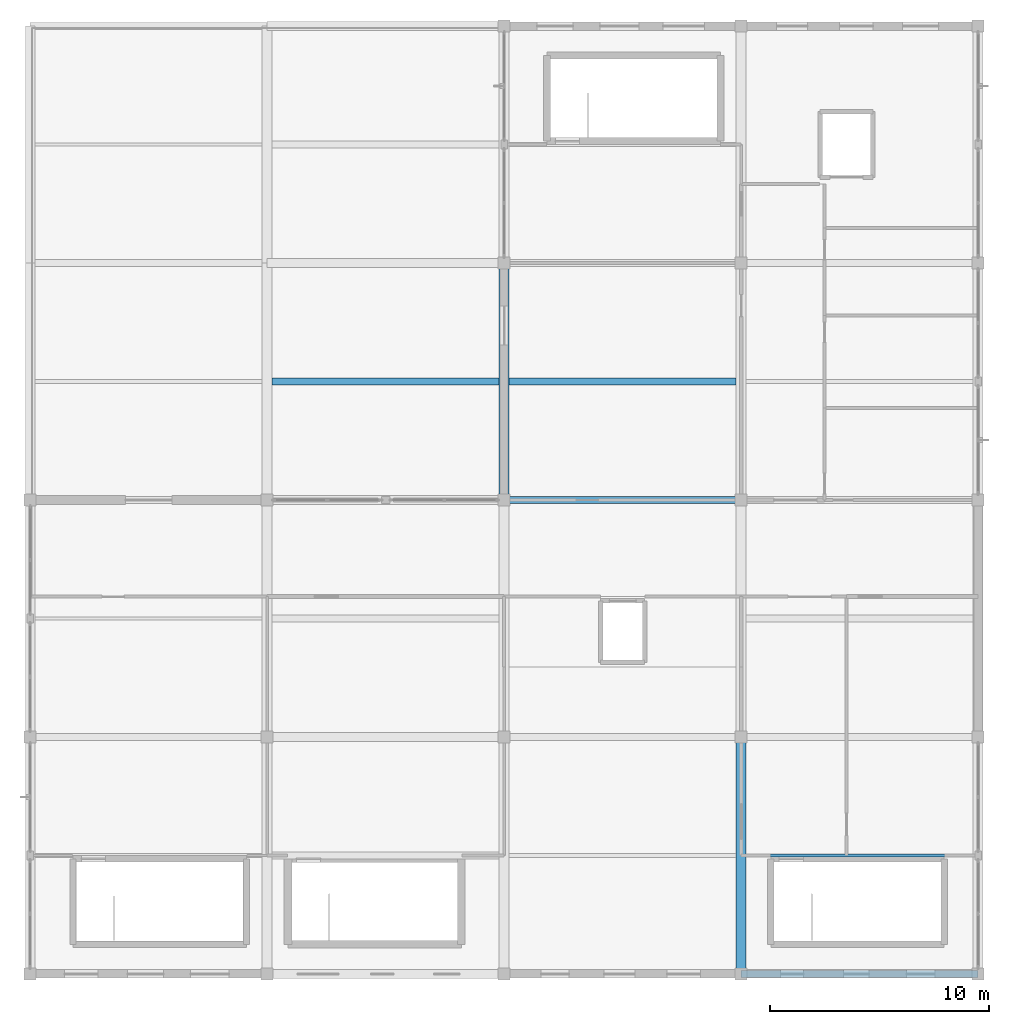
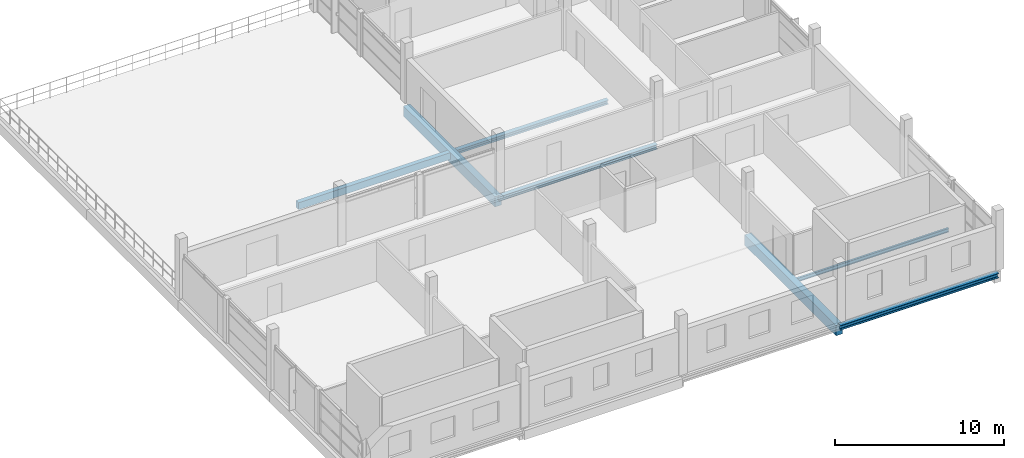
# One storey, part 5 of 15: 7 beams.
"""IFC4 building model written with IfcOpenShell, lengths in metres."""

from ifc_helpers import new_model, si_unit, direction, frame, origin, origin_2d, place, context, subcontext, project, spatial, rectangle, i_section, extrude, material, material_profile, profile_set, type_object, element, save


model = new_model("IFC4")

# Units and contexts
model_context = context("Model", 3, precision=1e-05, world=origin(), true_north=direction((0.0, 1.0)))
body_context = subcontext(model_context, "Body", "Model", "MODEL_VIEW")
ifc_project = project(units=[si_unit("LENGTHUNIT", "METRE"), si_unit("AREAUNIT", "SQUARE_METRE"), si_unit("VOLUMEUNIT", "CUBIC_METRE"), si_unit("PLANEANGLEUNIT", "RADIAN"), si_unit("MASSUNIT", "GRAM", prefix="KILO")], contexts=[model_context])

# Site, building, storey
site_placement = place(None, origin())
site = spatial("IfcSite", under=ifc_project, at=site_placement, CompositionType="ELEMENT")
building_placement = place(site_placement, origin())
building = spatial("IfcBuilding", under=site, at=building_placement, Name="Zwinboog Wholesale Market", CompositionType="ELEMENT")
storey_placement = place(building_placement, frame((0.0, 0.0, 14.760009765625)))
storey = spatial("IfcBuildingStorey", under=building, at=storey_placement, Name="L03", CompositionType="ELEMENT", Elevation=14.760009765625)

# Beams
ifc_material_1 = material(Name="Precast concrete C45/55", Category="concrete")
ifc_material_profile_1 = material_profile(ifc_material_1, rectangle(XDim=0.449951171875, YDim=0.75, at=origin_2d()), Name="PC 450x750")
ifc_profile_set_1 = profile_set([ifc_material_profile_1], Name="Precast concrete C45/55")
beam_type_1 = type_object("IfcBeamType", Name="BT-04", PredefinedType="BEAM", material=ifc_profile_set_1)
beam_1_placement = place(storey_placement, frame((151.199951171875, 21.60009765625, -0.722900390625), z_axis=(0.0, 1.0, 0.0), x_axis=(-1.0, 0.0, 0.0)))
element("IfcBeam", 1, at=beam_1_placement, inside=storey, type_object=beam_type_1, Name="BG-04 (BMG-L03-1512-0216-1031)", PredefinedType="BEAM", context=body_context, shape_type="SweptSolid", body=[
    extrude(rectangle(XDim=0.449951171875, YDim=0.75, at=origin_2d()), origin(), (0.0, 0.0, 1.0), 10.7998046875),
])
beam_2_placement = place(storey_placement, frame((162.0, 0.0, -0.693115234375), z_axis=(0.0, 1.0, 0.0), x_axis=(-1.0, 0.0, 0.0)))
element("IfcBeam", 2, at=beam_2_placement, inside=storey, type_object=beam_type_1, Name="BG-04 (BMG-L03-1620-0000-1033)", PredefinedType="BEAM", context=body_context, shape_type="SweptSolid", body=[
    extrude(rectangle(XDim=0.449951171875, YDim=0.75, at=origin_2d()), origin(), (0.0, 0.0, 1.0), 10.800048828125),
])
ifc_material_profile_2 = material_profile(ifc_material_1, rectangle(XDim=0.300048828125, YDim=0.5, at=origin_2d()), Name="PC 300x500")
ifc_profile_set_2 = profile_set([ifc_material_profile_2], Name="Precast concrete C45/55")
beam_type_2 = type_object("IfcBeamType", Name="BT-10", PredefinedType="JOIST", material=ifc_profile_set_2)
beam_3_placement = place(storey_placement, frame((140.625, 27.0, -0.597900390625), z_axis=(1.0, 0.0, 0.0), x_axis=(0.0, 1.0, 0.0)))
element("IfcBeam", 3, at=beam_3_placement, inside=storey, type_object=beam_type_2, Name="BJ-01 (BM-TER-L03-0219)", PredefinedType="JOIST", context=body_context, shape_type="SweptSolid", body=[
    extrude(rectangle(XDim=0.300048828125, YDim=0.5, at=origin_2d()), origin(), (0.0, 0.0, 1.0), 10.35009765625),
])
ifc_material_2 = material(Name="Steel S355", Category="steel")
ifc_material_profile_3 = material_profile(ifc_material_2, i_section(OverallWidth=0.300048828125, OverallDepth=0.340087890625, WebThickness=0.011962890625, FlangeThickness=0.021484375, FilletRadius=0.027099609375, at=origin_2d()), Name="HEB 340")
ifc_profile_set_3 = profile_set([ifc_material_profile_3], Name="Steel S355")
beam_type_3 = type_object("IfcBeamType", Name="BT-16", PredefinedType="BEAM", material=ifc_profile_set_3)
for number, where, z_axis, x_axis, name in (
    (4, (162.0, 0.0, -0.488037109375), (1.0, 0.0, 0.0), (0.0, 1.0, 0.0), "SB-03 (BMG-L03-1620-0000-1012)"),
    (5, (151.199951171875, 21.60009765625, -0.51806640625), (1.0, 0.0, 0.0), (0.0, 1.0, 0.0), "SB-03 (BMG-L03-1512-0216-1019)"),
):
    element("IfcBeam", number, at=place(storey_placement, frame(where, z_axis=z_axis, x_axis=x_axis)), inside=storey, type_object=beam_type_3, Name=name, PredefinedType="BEAM", context=body_context, shape_type="SweptSolid", body=[
        extrude(i_section(OverallWidth=0.300048828125, OverallDepth=0.340087890625, WebThickness=0.011962890625, FlangeThickness=0.021484375, FilletRadius=0.027099609375, at=origin_2d()), origin(), (0.0, 0.0, 1.0), 10.800048828125),
    ])
ifc_material_profile_4 = material_profile(ifc_material_2, i_section(OverallWidth=0.300048828125, OverallDepth=0.2900390625, WebThickness=0.008544921875, FlangeThickness=0.013916015625, FilletRadius=0.027099609375, at=origin_2d()), Name="HEA 300")
ifc_profile_set_4 = profile_set([ifc_material_profile_4], Name="Steel S355")
beam_type_4 = type_object("IfcBeamType", Name="BT-18", PredefinedType="JOIST", material=ifc_profile_set_4)
beam_4_placement = place(storey_placement, frame((151.425048828125, 27.0, -0.492919921875), z_axis=(1.0, 0.0, 0.0), x_axis=(0.0, 1.0, 0.0)))
element("IfcBeam", 6, at=beam_4_placement, inside=storey, type_object=beam_type_4, Name="SJ-01 (BMG-L03-1514-0270-1048)", PredefinedType="JOIST", context=body_context, shape_type="SweptSolid", body=[
    extrude(i_section(OverallWidth=0.300048828125, OverallDepth=0.2900390625, WebThickness=0.008544921875, FlangeThickness=0.013916015625, FilletRadius=0.027099609375, at=origin_2d()), origin(), (0.0, 0.0, 1.0), 10.349853515625),
])
ifc_material_profile_5 = material_profile(ifc_material_2, i_section(OverallWidth=0.135009765625, OverallDepth=0.27001953125, WebThickness=0.006591796875, FlangeThickness=0.01025390625, FilletRadius=0.014892578125, at=origin_2d()), Name="IPE 270")
ifc_profile_set_5 = profile_set([ifc_material_profile_5], Name="Steel S355")
beam_type_5 = type_object("IfcBeamType", Name="BT-21", PredefinedType="JOIST", material=ifc_profile_set_5)
beam_5_placement = place(storey_placement, frame((162.22509765625, 5.39990234375, -0.453125), z_axis=(1.0, 0.0, 0.0), x_axis=(0.0, 1.0, 0.0)))
element("IfcBeam", 7, at=beam_5_placement, inside=storey, type_object=beam_type_5, Name="SJ-04 (BMG-L03-1622-0054-1046)", PredefinedType="JOIST", context=body_context, shape_type="SweptSolid", body=[
    extrude(i_section(OverallWidth=0.135009765625, OverallDepth=0.27001953125, WebThickness=0.006591796875, FlangeThickness=0.01025390625, FilletRadius=0.014892578125, at=origin_2d()), origin(), (0.0, 0.0, 1.0), 10.349853515625),
])

save(model, "model.ifc")
